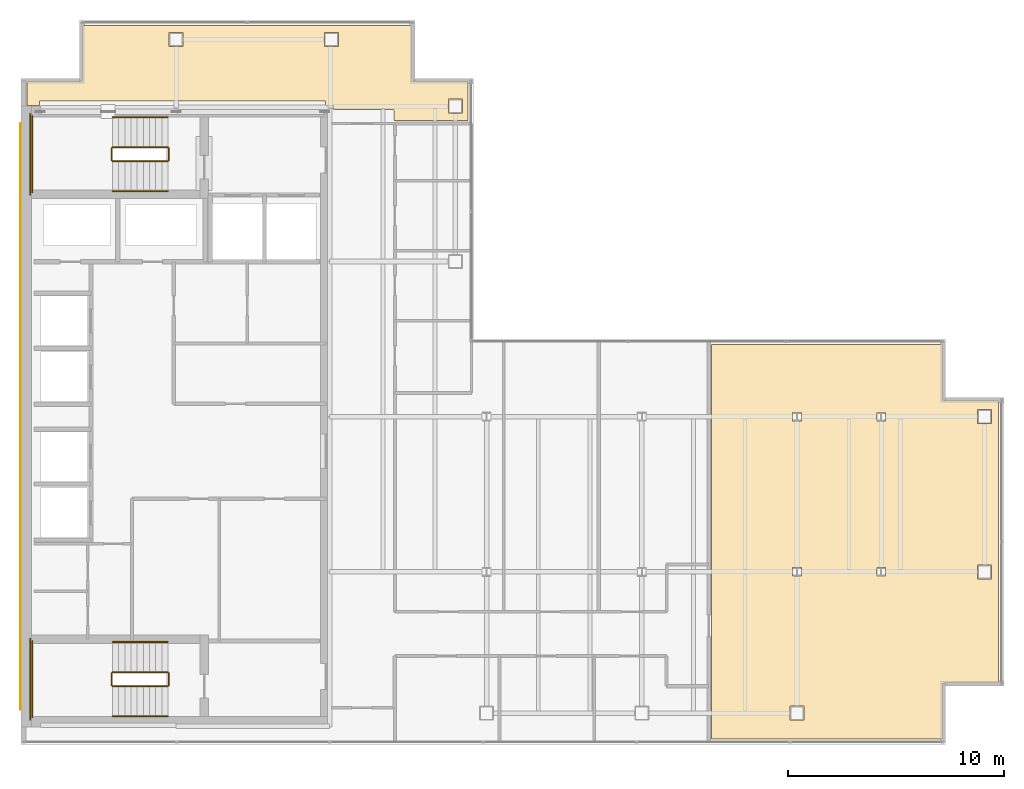
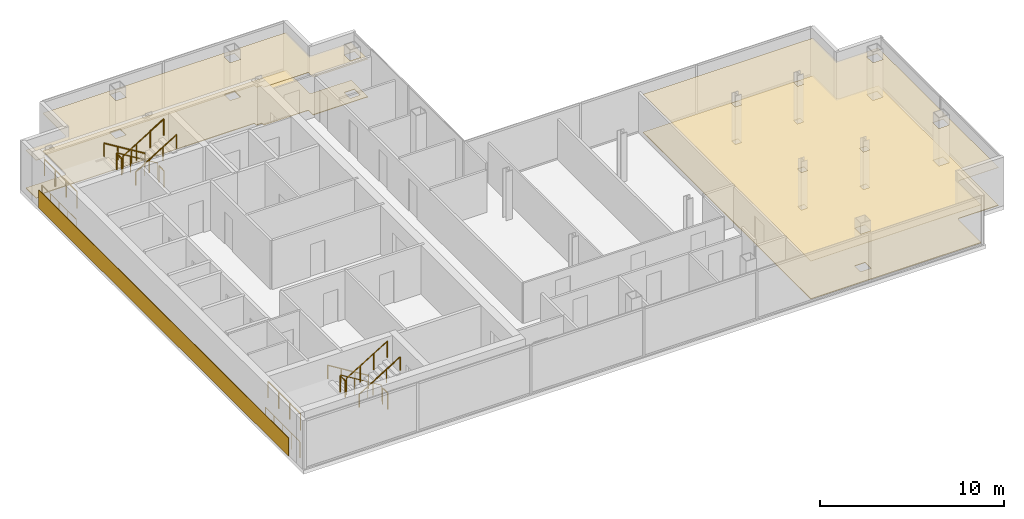
# One storey, part 23 of 23: 16 railings, 5 coverings.
"""IFC4 building model written with IfcOpenShell, lengths in metres."""

from ifc_helpers import new_model, si_unit, direction, frame, origin, origin_2d, place, context, subcontext, project, spatial, polyline, circle, outline, extrude, material, layer, layer_set, type_object, element, save


model = new_model("IFC4")

# Units and contexts
model_context = context("Model", 3, precision=1e-05, world=origin(), true_north=direction((0.0, 1.0)))
body_context = subcontext(model_context, "Body", "Model", "MODEL_VIEW")
ifc_project = project(units=[si_unit("LENGTHUNIT", "METRE"), si_unit("AREAUNIT", "SQUARE_METRE"), si_unit("VOLUMEUNIT", "CUBIC_METRE"), si_unit("PLANEANGLEUNIT", "RADIAN"), si_unit("MASSUNIT", "GRAM", prefix="KILO")], contexts=[model_context])

# Site, building, storey
site_placement = place(None, origin())
site = spatial("IfcSite", under=ifc_project, at=site_placement, CompositionType="ELEMENT")
building_placement = place(site_placement, origin())
building = spatial("IfcBuilding", under=site, at=building_placement, Name="Cobrela Telecom Tower", CompositionType="ELEMENT")
storey_placement = place(building_placement, frame((0.0, 0.0, 286.64990234375)))
storey = spatial("IfcBuildingStorey", under=building, at=storey_placement, Name="L75", CompositionType="ELEMENT", Elevation=286.64990234375)

# Coverings
ifc_material_1 = material(Name="Mineral Fibre Acoustic Ceiling Tile")
ifc_layer_1 = layer(ifc_material_1, 0.02490234375)
ifc_layer_set_1 = layer_set([ifc_layer_1], Name="Mineral Fibre Acoustic Ceiling Tile")
covering_type_1 = type_object("IfcCoveringType", Name="COV-CEIL-ACT", PredefinedType="CEILING", material=ifc_layer_set_1)
covering_1_placement = place(storey_placement, frame((0.0, 0.0, 2.52001953125)))
element("IfcCovering", 1, at=covering_1_placement, inside=storey, type_object=covering_type_1, Name="L75 Systems Engineering Studio 9 Suspended Acoustic Ceiling", PredefinedType="CEILING", context=body_context, shape_type="SweptSolid", body=[
    extrude(outline(polyline([(42.86279296875, 9.247314453125), (42.849365234375, 9.243896484375), (42.83642578125, 9.239501953125), (42.823974609375, 9.2333984375), (42.81201171875, 9.226318359375), (42.80126953125, 9.21826171875), (42.791015625, 9.208984375), (42.78173828125, 9.19873046875), (42.773681640625, 9.18798828125), (42.7666015625, 9.176025390625), (42.760498046875, 9.16357421875), (42.756103515625, 9.150634765625), (42.752685546875, 9.13720703125), (42.75048828125, 9.123779296875), (42.75, 9.111083984375), (42.75, 6.659912109375), (32.0400390625, 6.659912109375), (32.0400390625, 24.93994140625), (42.75, 24.93994140625), (42.75, 22.489013671875), (42.75048828125, 22.476318359375), (42.752685546875, 22.462646484375), (42.756103515625, 22.449462890625), (42.760498046875, 22.436279296875), (42.7666015625, 22.424072265625), (42.773681640625, 22.412109375), (42.78173828125, 22.401123046875), (42.791015625, 22.39111328125), (42.80126953125, 22.381591796875), (42.81201171875, 22.37353515625), (42.823974609375, 22.366455078125), (42.83642578125, 22.360595703125), (42.849365234375, 22.35595703125), (42.86279296875, 22.3525390625), (42.876220703125, 22.3505859375), (42.888916015625, 22.35009765625), (45.340087890625, 22.35009765625), (45.340087890625, 9.25), (42.888916015625, 9.25), (42.876220703125, 9.24951171875), (42.86279296875, 9.247314453125)]), holes=[polyline([(36.324951171875, 8.175048828125), (35.675048828125, 8.175048828125), (35.675048828125, 7.52490234375), (36.324951171875, 7.52490234375), (36.324951171875, 8.175048828125)]), polyline([(36.199462890625, 14.596923828125), (35.800537109375, 14.596923828125), (35.800537109375, 14.202880859375), (36.199462890625, 14.202880859375), (36.199462890625, 14.596923828125)]), polyline([(40.099609375, 14.596923828125), (39.700439453125, 14.596923828125), (39.700439453125, 14.202880859375), (40.099609375, 14.202880859375), (40.099609375, 14.596923828125)]), polyline([(45.02490234375, 14.72509765625), (44.375, 14.72509765625), (44.375, 14.074951171875), (45.02490234375, 14.074951171875), (45.02490234375, 14.72509765625)]), polyline([(36.199462890625, 21.797119140625), (35.800537109375, 21.797119140625), (35.800537109375, 21.403076171875), (36.199462890625, 21.403076171875), (36.199462890625, 21.797119140625)]), polyline([(40.099609375, 21.403076171875), (40.099609375, 21.797119140625), (39.700439453125, 21.797119140625), (39.700439453125, 21.403076171875), (40.099609375, 21.403076171875)]), polyline([(45.02490234375, 21.27490234375), (45.02490234375, 21.925048828125), (44.375, 21.925048828125), (44.375, 21.27490234375), (45.02490234375, 21.27490234375)])]), origin(), (0.0, 0.0, 1.0), 0.025146484375),
])
covering_2_placement = place(storey_placement, frame((0.0, 0.0, 2.52001953125)))
element("IfcCovering", 2, at=covering_2_placement, inside=storey, type_object=covering_type_1, Name="L75 Carrier Operations Office 1 Suspended Acoustic Ceiling", PredefinedType="CEILING", context=body_context, shape_type="SweptSolid", body=[
    extrude(outline(polyline([(14.139892578125, 36.239990234375), (0.860107421875, 36.239990234375), (0.860107421875, 36.0400390625), (0.2900390625, 36.0400390625), (0.2900390625, 37.14990234375), (2.7109375, 37.14990234375), (2.7236328125, 37.150634765625), (2.7373046875, 37.152587890625), (2.75048828125, 37.156005859375), (2.763671875, 37.16064453125), (2.77587890625, 37.16650390625), (2.787841796875, 37.173583984375), (2.798828125, 37.181640625), (2.80908203125, 37.19091796875), (2.818359375, 37.201171875), (2.826416015625, 37.212158203125), (2.83349609375, 37.22412109375), (2.83935546875, 37.236328125), (2.843994140625, 37.24951171875), (2.847412109375, 37.2626953125), (2.849365234375, 37.2763671875), (2.85009765625, 37.2890625), (2.85009765625, 39.739990234375), (18.14990234375, 39.739990234375), (18.14990234375, 37.2890625), (18.150634765625, 37.2763671875), (18.152587890625, 37.2626953125), (18.156005859375, 37.24951171875), (18.16064453125, 37.236328125), (18.16650390625, 37.22412109375), (18.173583984375, 37.212158203125), (18.181640625, 37.201171875), (18.19091796875, 37.19091796875), (18.201171875, 37.181640625), (18.212158203125, 37.173583984375), (18.22412109375, 37.16650390625), (18.236328125, 37.16064453125), (18.24951171875, 37.156005859375), (18.2626953125, 37.152587890625), (18.2763671875, 37.150634765625), (18.2890625, 37.14990234375), (20.739990234375, 37.14990234375), (20.739990234375, 35.340087890625), (17.300048828125, 35.340087890625), (17.300048828125, 35.804931640625), (17.298828125, 35.810302734375), (17.2978515625, 35.8154296875), (17.2958984375, 35.820068359375), (17.294677734375, 35.822509765625), (17.291259765625, 35.82861328125), (17.288818359375, 35.831298828125), (17.28564453125, 35.835693359375), (17.28125, 35.8388671875), (17.278564453125, 35.84130859375), (17.272705078125, 35.844482421875), (17.27001953125, 35.845703125), (17.265380859375, 35.847900390625), (17.26025390625, 35.848876953125), (17.2548828125, 35.85009765625), (14.489990234375, 35.85009765625), (14.489990234375, 36.0400390625), (14.139892578125, 36.0400390625), (14.139892578125, 36.239990234375)]), holes=[polyline([(20.47509765625, 36.324951171875), (19.824951171875, 36.324951171875), (19.824951171875, 35.675048828125), (20.47509765625, 35.675048828125), (20.47509765625, 36.324951171875)]), polyline([(7.52490234375, 39.425048828125), (6.875, 39.425048828125), (6.875, 38.77490234375), (7.52490234375, 38.77490234375), (7.52490234375, 39.425048828125)]), polyline([(14.72509765625, 39.425048828125), (14.074951171875, 39.425048828125), (14.074951171875, 38.77490234375), (14.72509765625, 38.77490234375), (14.72509765625, 39.425048828125)])]), origin(), (0.0, 0.0, 1.0), 0.025146484375),
])
ifc_material_2 = material(Name="Bogota Terracotta Architectural Stone", Category="masonry")
ifc_layer_2 = layer(ifc_material_2, 0.0400390625)
ifc_layer_set_2 = layer_set([ifc_layer_2], Name="Bogota Terracotta Architectural Stone")
covering_type_2 = type_object("IfcCoveringType", Name="COV-CLAD-TERRA", PredefinedType="CLADDING", material=ifc_layer_set_2)
covering_3_placement = place(storey_placement, origin())
element("IfcCovering", 3, at=covering_3_placement, inside=storey, type_object=covering_type_2, Name="L75 West Core Terracotta Spandrel Cladding Band", PredefinedType="CLADDING", context=body_context, shape_type="SweptSolid", body=[
    extrude(outline(polyline([(-0.0400390625, 8.0), (0.0, 8.0), (0.0, 35.199951171875), (-0.0400390625, 35.199951171875), (-0.0400390625, 8.0)])), origin(), (0.0, 0.0, 1.0), 1.2001953125),
])
ifc_material_3 = material(Name="Honed Colombian Basalt Stone", Category="masonry")
ifc_layer_3 = layer(ifc_material_3, 0.0400390625)
ifc_layer_set_3 = layer_set([ifc_layer_3], Name="Honed Colombian Basalt Stone")
covering_type_3 = type_object("IfcCoveringType", Name="COV-FLR-STONE", PredefinedType="FLOORING", material=ifc_layer_set_3)
covering_4_placement = place(storey_placement, origin())
element("IfcCovering", 4, at=covering_4_placement, inside=storey, type_object=covering_type_3, Name="L75 Systems Engineering Studio 9 Raised Technical Flooring", PredefinedType="FLOORING", context=body_context, shape_type="SweptSolid", body=[
    extrude(outline(polyline([(42.86279296875, 9.247314453125), (42.849365234375, 9.243896484375), (42.83642578125, 9.239501953125), (42.823974609375, 9.2333984375), (42.81201171875, 9.226318359375), (42.80126953125, 9.21826171875), (42.791015625, 9.208984375), (42.78173828125, 9.19873046875), (42.773681640625, 9.18798828125), (42.7666015625, 9.176025390625), (42.760498046875, 9.16357421875), (42.756103515625, 9.150634765625), (42.752685546875, 9.13720703125), (42.75048828125, 9.123779296875), (42.75, 9.111083984375), (42.75, 6.659912109375), (32.0400390625, 6.659912109375), (32.0400390625, 24.93994140625), (42.75, 24.93994140625), (42.75, 22.489013671875), (42.75048828125, 22.476318359375), (42.752685546875, 22.462646484375), (42.756103515625, 22.449462890625), (42.760498046875, 22.436279296875), (42.7666015625, 22.424072265625), (42.773681640625, 22.412109375), (42.78173828125, 22.401123046875), (42.791015625, 22.39111328125), (42.80126953125, 22.381591796875), (42.81201171875, 22.37353515625), (42.823974609375, 22.366455078125), (42.83642578125, 22.360595703125), (42.849365234375, 22.35595703125), (42.86279296875, 22.3525390625), (42.876220703125, 22.3505859375), (42.888916015625, 22.35009765625), (45.340087890625, 22.35009765625), (45.340087890625, 9.25), (42.888916015625, 9.25), (42.876220703125, 9.24951171875), (42.86279296875, 9.247314453125)]), holes=[polyline([(36.324951171875, 8.175048828125), (35.675048828125, 8.175048828125), (35.675048828125, 7.52490234375), (36.324951171875, 7.52490234375), (36.324951171875, 8.175048828125)]), polyline([(36.199462890625, 14.596923828125), (35.800537109375, 14.596923828125), (35.800537109375, 14.202880859375), (36.199462890625, 14.202880859375), (36.199462890625, 14.596923828125)]), polyline([(40.099609375, 14.596923828125), (39.700439453125, 14.596923828125), (39.700439453125, 14.202880859375), (40.099609375, 14.202880859375), (40.099609375, 14.596923828125)]), polyline([(45.02490234375, 14.72509765625), (44.375, 14.72509765625), (44.375, 14.074951171875), (45.02490234375, 14.074951171875), (45.02490234375, 14.72509765625)]), polyline([(36.199462890625, 21.797119140625), (35.800537109375, 21.797119140625), (35.800537109375, 21.403076171875), (36.199462890625, 21.403076171875), (36.199462890625, 21.797119140625)]), polyline([(40.099609375, 21.403076171875), (40.099609375, 21.797119140625), (39.700439453125, 21.797119140625), (39.700439453125, 21.403076171875), (40.099609375, 21.403076171875)]), polyline([(45.02490234375, 21.27490234375), (45.02490234375, 21.925048828125), (44.375, 21.925048828125), (44.375, 21.27490234375), (45.02490234375, 21.27490234375)])]), origin(), (0.0, 0.0, 1.0), 0.0400390625),
])
covering_5_placement = place(storey_placement, origin())
element("IfcCovering", 5, at=covering_5_placement, inside=storey, type_object=covering_type_3, Name="L75 Carrier Operations Office 1 Raised Technical Flooring", PredefinedType="FLOORING", context=body_context, shape_type="SweptSolid", body=[
    extrude(outline(polyline([(14.139892578125, 36.239990234375), (0.860107421875, 36.239990234375), (0.860107421875, 36.0400390625), (0.2900390625, 36.0400390625), (0.2900390625, 37.14990234375), (2.7109375, 37.14990234375), (2.7236328125, 37.150634765625), (2.7373046875, 37.152587890625), (2.75048828125, 37.156005859375), (2.763671875, 37.16064453125), (2.77587890625, 37.16650390625), (2.787841796875, 37.173583984375), (2.798828125, 37.181640625), (2.80908203125, 37.19091796875), (2.818359375, 37.201171875), (2.826416015625, 37.212158203125), (2.83349609375, 37.22412109375), (2.83935546875, 37.236328125), (2.843994140625, 37.24951171875), (2.847412109375, 37.2626953125), (2.849365234375, 37.2763671875), (2.85009765625, 37.2890625), (2.85009765625, 39.739990234375), (18.14990234375, 39.739990234375), (18.14990234375, 37.2890625), (18.150634765625, 37.2763671875), (18.152587890625, 37.2626953125), (18.156005859375, 37.24951171875), (18.16064453125, 37.236328125), (18.16650390625, 37.22412109375), (18.173583984375, 37.212158203125), (18.181640625, 37.201171875), (18.19091796875, 37.19091796875), (18.201171875, 37.181640625), (18.212158203125, 37.173583984375), (18.22412109375, 37.16650390625), (18.236328125, 37.16064453125), (18.24951171875, 37.156005859375), (18.2626953125, 37.152587890625), (18.2763671875, 37.150634765625), (18.2890625, 37.14990234375), (20.739990234375, 37.14990234375), (20.739990234375, 35.340087890625), (17.300048828125, 35.340087890625), (17.300048828125, 35.804931640625), (17.298828125, 35.810302734375), (17.2978515625, 35.8154296875), (17.2958984375, 35.820068359375), (17.294677734375, 35.822509765625), (17.291259765625, 35.82861328125), (17.288818359375, 35.831298828125), (17.28564453125, 35.835693359375), (17.28125, 35.8388671875), (17.278564453125, 35.84130859375), (17.272705078125, 35.844482421875), (17.27001953125, 35.845703125), (17.265380859375, 35.847900390625), (17.26025390625, 35.848876953125), (17.2548828125, 35.85009765625), (14.489990234375, 35.85009765625), (14.489990234375, 36.0400390625), (14.139892578125, 36.0400390625), (14.139892578125, 36.239990234375)]), holes=[polyline([(20.47509765625, 36.324951171875), (19.824951171875, 36.324951171875), (19.824951171875, 35.675048828125), (20.47509765625, 35.675048828125), (20.47509765625, 36.324951171875)]), polyline([(7.52490234375, 39.425048828125), (6.875, 39.425048828125), (6.875, 38.77490234375), (7.52490234375, 38.77490234375), (7.52490234375, 39.425048828125)]), polyline([(14.72509765625, 39.425048828125), (14.074951171875, 39.425048828125), (14.074951171875, 38.77490234375), (14.72509765625, 38.77490234375), (14.72509765625, 39.425048828125)])]), origin(), (0.0, 0.0, 1.0), 0.0400390625),
])

# Railings
ifc_material_4 = material(Name="Steel ASTM A36", Category="steel")
railing_type_1 = type_object("IfcRailingType", Name="RAIL-GUARD-1100", PredefinedType="GUARDRAIL", material=ifc_material_4)
railing_1_placement = place(storey_placement, frame((6.820068359375, 34.10009765625, 0.175048828125)))
element("IfcRailing", 6, at=railing_1_placement, inside=storey, type_object=railing_type_1, Name="L75 ST1 stair guard 1", PredefinedType="GUARDRAIL", context=body_context, shape_type="SweptSolid", body=[
    extrude(circle(Radius=0.02392578125, at=origin_2d()), frame((0.0, 0.0, 1.076171875), z_axis=(-0.852195335862, 0.0, 0.523223766217), x_axis=(0.0, -1.0, 0.0)), (0.0, 0.0, 1.0), 3.010009765625),
    extrude(circle(Radius=0.02099609375, at=origin_2d()), origin(), (0.0, 0.0, 1.0), 1.052001953125),
    extrude(circle(Radius=0.02099609375, at=origin_2d()), frame((-0.85498046875, 0.0, 0.52490234375)), (0.0, 0.0, 1.0), 1.052001953125),
    extrude(circle(Radius=0.02099609375, at=origin_2d()), frame((-1.710205078125, 0.0, 1.050048828125)), (0.0, 0.0, 1.0), 1.052001953125),
    extrude(circle(Radius=0.02099609375, at=origin_2d()), frame((-2.565185546875, 0.0, 1.574951171875)), (0.0, 0.0, 1.0), 1.052001953125),
])
railing_2_placement = place(storey_placement, frame((4.205078125, 34.050048828125, 1.75)))
element("IfcRailing", 7, at=railing_2_placement, inside=storey, type_object=railing_type_1, Name="L75 ST1 stair guard 2", PredefinedType="GUARDRAIL", context=body_context, shape_type="SweptSolid", body=[
    extrude(circle(Radius=0.02392578125, at=origin_2d()), frame((0.0, 0.0, 1.076171875), z_axis=(0.0, -1.0, 0.0), x_axis=(1.0, 0.0, 0.0)), (0.0, 0.0, 1.0), 0.550048828125),
    extrude(circle(Radius=0.02099609375, at=origin_2d()), origin(), (0.0, 0.0, 1.0), 1.052001953125),
    extrude(circle(Radius=0.02099609375, at=origin_2d()), frame((0.0, -0.550048828125, 0.0)), (0.0, 0.0, 1.0), 1.052001953125),
])
railing_3_placement = place(storey_placement, frame((0.530029296875, 35.550048828125, 1.75)))
element("IfcRailing", 8, at=railing_3_placement, inside=storey, type_object=railing_type_1, Name="L75 ST1 stair guard 3", PredefinedType="GUARDRAIL", context=body_context, shape_type="SweptSolid", body=[
    extrude(circle(Radius=0.02392578125, at=origin_2d()), frame((0.0, 0.0, 1.076171875), z_axis=(0.0, -1.0, 0.0), x_axis=(1.0, 0.0, 0.0)), (0.0, 0.0, 1.0), 3.550048828125),
    extrude(circle(Radius=0.02099609375, at=origin_2d()), origin(), (0.0, 0.0, 1.0), 1.052001953125),
    extrude(circle(Radius=0.02099609375, at=origin_2d()), frame((0.0, -1.183349609375, 0.0)), (0.0, 0.0, 1.0), 1.052001953125),
    extrude(circle(Radius=0.02099609375, at=origin_2d()), frame((0.0, -2.36669921875, 0.0)), (0.0, 0.0, 1.0), 1.052001953125),
    extrude(circle(Radius=0.02099609375, at=origin_2d()), frame((0.0, -3.550048828125, 0.0)), (0.0, 0.0, 1.0), 1.052001953125),
])
railing_4_placement = place(storey_placement, frame((4.2548828125, 33.449951171875, 1.925048828125)))
element("IfcRailing", 9, at=railing_4_placement, inside=storey, type_object=railing_type_1, Name="L75 ST1 stair guard 4", PredefinedType="GUARDRAIL", context=body_context, shape_type="SweptSolid", body=[
    extrude(circle(Radius=0.02392578125, at=origin_2d()), frame((0.0, 0.0, 1.076171875), z_axis=(0.852195335862, 0.0, 0.523223766217), x_axis=(0.0, 1.0, 0.0)), (0.0, 0.0, 1.0), 3.010009765625),
    extrude(circle(Radius=0.02099609375, at=origin_2d()), origin(), (0.0, 0.0, 1.0), 1.052001953125),
    extrude(circle(Radius=0.02099609375, at=origin_2d()), frame((0.85498046875, 0.0, 0.52490234375)), (0.0, 0.0, 1.0), 1.052001953125),
    extrude(circle(Radius=0.02099609375, at=origin_2d()), frame((1.710205078125, 0.0, 1.050048828125)), (0.0, 0.0, 1.0), 1.052001953125),
    extrude(circle(Radius=0.02099609375, at=origin_2d()), frame((2.565185546875, 0.0, 1.574951171875)), (0.0, 0.0, 1.0), 1.052001953125),
])
railing_5_placement = place(storey_placement, frame((6.8701171875, 34.050048828125, 0.0)))
element("IfcRailing", 10, at=railing_5_placement, inside=storey, type_object=railing_type_1, Name="L75 ST1 stair guard 5", PredefinedType="GUARDRAIL", context=body_context, shape_type="SweptSolid", body=[
    extrude(circle(Radius=0.02392578125, at=origin_2d()), frame((0.0, 0.0, 1.076171875), z_axis=(0.0, -1.0, 0.0), x_axis=(1.0, 0.0, 0.0)), (0.0, 0.0, 1.0), 0.550048828125),
    extrude(circle(Radius=0.02099609375, at=origin_2d()), origin(), (0.0, 0.0, 1.0), 1.052001953125),
    extrude(circle(Radius=0.02099609375, at=origin_2d()), frame((0.0, -0.550048828125, 0.0)), (0.0, 0.0, 1.0), 1.052001953125),
])
railing_6_placement = place(storey_placement, frame((0.429931640625, 35.64990234375, 0.0)))
element("IfcRailing", 11, at=railing_6_placement, inside=storey, type_object=railing_type_1, Name="L75 ST1 stair guard 6", PredefinedType="GUARDRAIL", context=body_context, shape_type="SweptSolid", body=[
    extrude(circle(Radius=0.02392578125, at=origin_2d()), frame((0.0, 0.0, 1.076171875), z_axis=(0.0, -1.0, 0.0), x_axis=(1.0, 0.0, 0.0)), (0.0, 0.0, 1.0), 3.75),
    extrude(circle(Radius=0.02099609375, at=origin_2d()), origin(), (0.0, 0.0, 1.0), 1.052001953125),
    extrude(circle(Radius=0.02099609375, at=origin_2d()), frame((0.0, -0.9375, 0.0)), (0.0, 0.0, 1.0), 1.052001953125),
    extrude(circle(Radius=0.02099609375, at=origin_2d()), frame((0.0, -1.875, 0.0)), (0.0, 0.0, 1.0), 1.052001953125),
    extrude(circle(Radius=0.02099609375, at=origin_2d()), frame((0.0, -2.8125, 0.0)), (0.0, 0.0, 1.0), 1.052001953125),
    extrude(circle(Radius=0.02099609375, at=origin_2d()), frame((0.0, -3.75, 0.0)), (0.0, 0.0, 1.0), 1.052001953125),
])
railing_7_placement = place(storey_placement, frame((6.820068359375, 9.75, 0.175048828125)))
element("IfcRailing", 12, at=railing_7_placement, inside=storey, type_object=railing_type_1, Name="L75 ST2 stair guard 1", PredefinedType="GUARDRAIL", context=body_context, shape_type="SweptSolid", body=[
    extrude(circle(Radius=0.02392578125, at=origin_2d()), frame((0.0, 0.0, 1.076171875), z_axis=(-0.852195335862, 0.0, 0.523223766217), x_axis=(0.0, -1.0, 0.0)), (0.0, 0.0, 1.0), 3.010009765625),
    extrude(circle(Radius=0.02099609375, at=origin_2d()), origin(), (0.0, 0.0, 1.0), 1.052001953125),
    extrude(circle(Radius=0.02099609375, at=origin_2d()), frame((-0.85498046875, 0.0, 0.52490234375)), (0.0, 0.0, 1.0), 1.052001953125),
    extrude(circle(Radius=0.02099609375, at=origin_2d()), frame((-1.710205078125, 0.0, 1.050048828125)), (0.0, 0.0, 1.0), 1.052001953125),
    extrude(circle(Radius=0.02099609375, at=origin_2d()), frame((-2.565185546875, 0.0, 1.574951171875)), (0.0, 0.0, 1.0), 1.052001953125),
])
railing_8_placement = place(storey_placement, frame((4.205078125, 9.699951171875, 1.75)))
element("IfcRailing", 13, at=railing_8_placement, inside=storey, type_object=railing_type_1, Name="L75 ST2 stair guard 2", PredefinedType="GUARDRAIL", context=body_context, shape_type="SweptSolid", body=[
    extrude(circle(Radius=0.02392578125, at=origin_2d()), frame((0.0, 0.0, 1.076171875), z_axis=(0.0, -1.0, 0.0), x_axis=(1.0, 0.0, 0.0)), (0.0, 0.0, 1.0), 0.550048828125),
    extrude(circle(Radius=0.02099609375, at=origin_2d()), origin(), (0.0, 0.0, 1.0), 1.052001953125),
    extrude(circle(Radius=0.02099609375, at=origin_2d()), frame((0.0, -0.550048828125, 0.0)), (0.0, 0.0, 1.0), 1.052001953125),
])
railing_9_placement = place(storey_placement, frame((0.530029296875, 11.199951171875, 1.75)))
element("IfcRailing", 14, at=railing_9_placement, inside=storey, type_object=railing_type_1, Name="L75 ST2 stair guard 3", PredefinedType="GUARDRAIL", context=body_context, shape_type="SweptSolid", body=[
    extrude(circle(Radius=0.02392578125, at=origin_2d()), frame((0.0, 0.0, 1.076171875), z_axis=(0.0, -1.0, 0.0), x_axis=(1.0, 0.0, 0.0)), (0.0, 0.0, 1.0), 3.550048828125),
    extrude(circle(Radius=0.02099609375, at=origin_2d()), origin(), (0.0, 0.0, 1.0), 1.052001953125),
    extrude(circle(Radius=0.02099609375, at=origin_2d()), frame((0.0, -1.183349609375, 0.0)), (0.0, 0.0, 1.0), 1.052001953125),
    extrude(circle(Radius=0.02099609375, at=origin_2d()), frame((0.0, -2.36669921875, 0.0)), (0.0, 0.0, 1.0), 1.052001953125),
    extrude(circle(Radius=0.02099609375, at=origin_2d()), frame((0.0, -3.550048828125, 0.0)), (0.0, 0.0, 1.0), 1.052001953125),
])
railing_10_placement = place(storey_placement, frame((4.2548828125, 9.10009765625, 1.925048828125)))
element("IfcRailing", 15, at=railing_10_placement, inside=storey, type_object=railing_type_1, Name="L75 ST2 stair guard 4", PredefinedType="GUARDRAIL", context=body_context, shape_type="SweptSolid", body=[
    extrude(circle(Radius=0.02392578125, at=origin_2d()), frame((0.0, 0.0, 1.076171875), z_axis=(0.852195335862, 0.0, 0.523223766217), x_axis=(0.0, 1.0, 0.0)), (0.0, 0.0, 1.0), 3.010009765625),
    extrude(circle(Radius=0.02099609375, at=origin_2d()), origin(), (0.0, 0.0, 1.0), 1.052001953125),
    extrude(circle(Radius=0.02099609375, at=origin_2d()), frame((0.85498046875, 0.0, 0.52490234375)), (0.0, 0.0, 1.0), 1.052001953125),
    extrude(circle(Radius=0.02099609375, at=origin_2d()), frame((1.710205078125, 0.0, 1.050048828125)), (0.0, 0.0, 1.0), 1.052001953125),
    extrude(circle(Radius=0.02099609375, at=origin_2d()), frame((2.565185546875, 0.0, 1.574951171875)), (0.0, 0.0, 1.0), 1.052001953125),
])
railing_11_placement = place(storey_placement, frame((6.8701171875, 9.699951171875, 0.0)))
element("IfcRailing", 16, at=railing_11_placement, inside=storey, type_object=railing_type_1, Name="L75 ST2 stair guard 5", PredefinedType="GUARDRAIL", context=body_context, shape_type="SweptSolid", body=[
    extrude(circle(Radius=0.02392578125, at=origin_2d()), frame((0.0, 0.0, 1.076171875), z_axis=(0.0, -1.0, 0.0), x_axis=(1.0, 0.0, 0.0)), (0.0, 0.0, 1.0), 0.550048828125),
    extrude(circle(Radius=0.02099609375, at=origin_2d()), origin(), (0.0, 0.0, 1.0), 1.052001953125),
    extrude(circle(Radius=0.02099609375, at=origin_2d()), frame((0.0, -0.550048828125, 0.0)), (0.0, 0.0, 1.0), 1.052001953125),
])
railing_12_placement = place(storey_placement, frame((0.429931640625, 11.300048828125, 0.0)))
element("IfcRailing", 17, at=railing_12_placement, inside=storey, type_object=railing_type_1, Name="L75 ST2 stair guard 6", PredefinedType="GUARDRAIL", context=body_context, shape_type="SweptSolid", body=[
    extrude(circle(Radius=0.02392578125, at=origin_2d()), frame((0.0, 0.0, 1.076171875), z_axis=(0.0, -1.0, 0.0), x_axis=(1.0, 0.0, 0.0)), (0.0, 0.0, 1.0), 3.75),
    extrude(circle(Radius=0.02099609375, at=origin_2d()), origin(), (0.0, 0.0, 1.0), 1.052001953125),
    extrude(circle(Radius=0.02099609375, at=origin_2d()), frame((0.0, -0.9375, 0.0)), (0.0, 0.0, 1.0), 1.052001953125),
    extrude(circle(Radius=0.02099609375, at=origin_2d()), frame((0.0, -1.875, 0.0)), (0.0, 0.0, 1.0), 1.052001953125),
    extrude(circle(Radius=0.02099609375, at=origin_2d()), frame((0.0, -2.8125, 0.0)), (0.0, 0.0, 1.0), 1.052001953125),
    extrude(circle(Radius=0.02099609375, at=origin_2d()), frame((0.0, -3.75, 0.0)), (0.0, 0.0, 1.0), 1.052001953125),
])
railing_type_2 = type_object("IfcRailingType", Name="RAIL-HAND-920", PredefinedType="HANDRAIL", material=ifc_material_4)
railing_13_placement = place(storey_placement, frame((6.820068359375, 35.5, 0.175048828125)))
element("IfcRailing", 18, at=railing_13_placement, inside=storey, type_object=railing_type_2, Name="L75 ST1 stair handrail 1", PredefinedType="HANDRAIL", context=body_context, shape_type="SweptSolid", body=[
    extrude(circle(Radius=0.02392578125, at=origin_2d()), frame((0.0, 0.0, 0.8759765625), z_axis=(-0.852195335862, 0.0, 0.523223766217), x_axis=(0.0, -1.0, 0.0)), (0.0, 0.0, 1.0), 3.010009765625),
    extrude(circle(Radius=0.02099609375, at=origin_2d()), origin(), (0.0, 0.0, 1.0), 0.851806640625),
    extrude(circle(Radius=0.02099609375, at=origin_2d()), frame((-0.85498046875, 0.0, 0.52490234375)), (0.0, 0.0, 1.0), 0.851806640625),
    extrude(circle(Radius=0.02099609375, at=origin_2d()), frame((-1.710205078125, 0.0, 1.050048828125)), (0.0, 0.0, 1.0), 0.851806640625),
    extrude(circle(Radius=0.02099609375, at=origin_2d()), frame((-2.565185546875, 0.0, 1.574951171875)), (0.0, 0.0, 1.0), 0.851806640625),
])
railing_14_placement = place(storey_placement, frame((4.2548828125, 32.050048828125, 1.925048828125)))
element("IfcRailing", 19, at=railing_14_placement, inside=storey, type_object=railing_type_2, Name="L75 ST1 stair handrail 2", PredefinedType="HANDRAIL", context=body_context, shape_type="SweptSolid", body=[
    extrude(circle(Radius=0.02392578125, at=origin_2d()), frame((0.0, 0.0, 0.8759765625), z_axis=(0.852195335862, 0.0, 0.523223766217), x_axis=(0.0, 1.0, 0.0)), (0.0, 0.0, 1.0), 3.010009765625),
    extrude(circle(Radius=0.02099609375, at=origin_2d()), origin(), (0.0, 0.0, 1.0), 0.851806640625),
    extrude(circle(Radius=0.02099609375, at=origin_2d()), frame((0.85498046875, 0.0, 0.52490234375)), (0.0, 0.0, 1.0), 0.851806640625),
    extrude(circle(Radius=0.02099609375, at=origin_2d()), frame((1.710205078125, 0.0, 1.050048828125)), (0.0, 0.0, 1.0), 0.851806640625),
    extrude(circle(Radius=0.02099609375, at=origin_2d()), frame((2.565185546875, 0.0, 1.574951171875)), (0.0, 0.0, 1.0), 0.851806640625),
])
railing_15_placement = place(storey_placement, frame((6.820068359375, 11.14990234375, 0.175048828125)))
element("IfcRailing", 20, at=railing_15_placement, inside=storey, type_object=railing_type_2, Name="L75 ST2 stair handrail 1", PredefinedType="HANDRAIL", context=body_context, shape_type="SweptSolid", body=[
    extrude(circle(Radius=0.02392578125, at=origin_2d()), frame((0.0, 0.0, 0.8759765625), z_axis=(-0.852195335862, 0.0, 0.523223766217), x_axis=(0.0, -1.0, 0.0)), (0.0, 0.0, 1.0), 3.010009765625),
    extrude(circle(Radius=0.02099609375, at=origin_2d()), origin(), (0.0, 0.0, 1.0), 0.851806640625),
    extrude(circle(Radius=0.02099609375, at=origin_2d()), frame((-0.85498046875, 0.0, 0.52490234375)), (0.0, 0.0, 1.0), 0.851806640625),
    extrude(circle(Radius=0.02099609375, at=origin_2d()), frame((-1.710205078125, 0.0, 1.050048828125)), (0.0, 0.0, 1.0), 0.851806640625),
    extrude(circle(Radius=0.02099609375, at=origin_2d()), frame((-2.565185546875, 0.0, 1.574951171875)), (0.0, 0.0, 1.0), 0.851806640625),
])
railing_16_placement = place(storey_placement, frame((4.2548828125, 7.699951171875, 1.925048828125)))
element("IfcRailing", 21, at=railing_16_placement, inside=storey, type_object=railing_type_2, Name="L75 ST2 stair handrail 2", PredefinedType="HANDRAIL", context=body_context, shape_type="SweptSolid", body=[
    extrude(circle(Radius=0.02392578125, at=origin_2d()), frame((0.0, 0.0, 0.8759765625), z_axis=(0.852195335862, 0.0, 0.523223766217), x_axis=(0.0, 1.0, 0.0)), (0.0, 0.0, 1.0), 3.010009765625),
    extrude(circle(Radius=0.02099609375, at=origin_2d()), origin(), (0.0, 0.0, 1.0), 0.851806640625),
    extrude(circle(Radius=0.02099609375, at=origin_2d()), frame((0.85498046875, 0.0, 0.52490234375)), (0.0, 0.0, 1.0), 0.851806640625),
    extrude(circle(Radius=0.02099609375, at=origin_2d()), frame((1.710205078125, 0.0, 1.050048828125)), (0.0, 0.0, 1.0), 0.851806640625),
    extrude(circle(Radius=0.02099609375, at=origin_2d()), frame((2.565185546875, 0.0, 1.574951171875)), (0.0, 0.0, 1.0), 0.851806640625),
])

save(model, "model.ifc")
